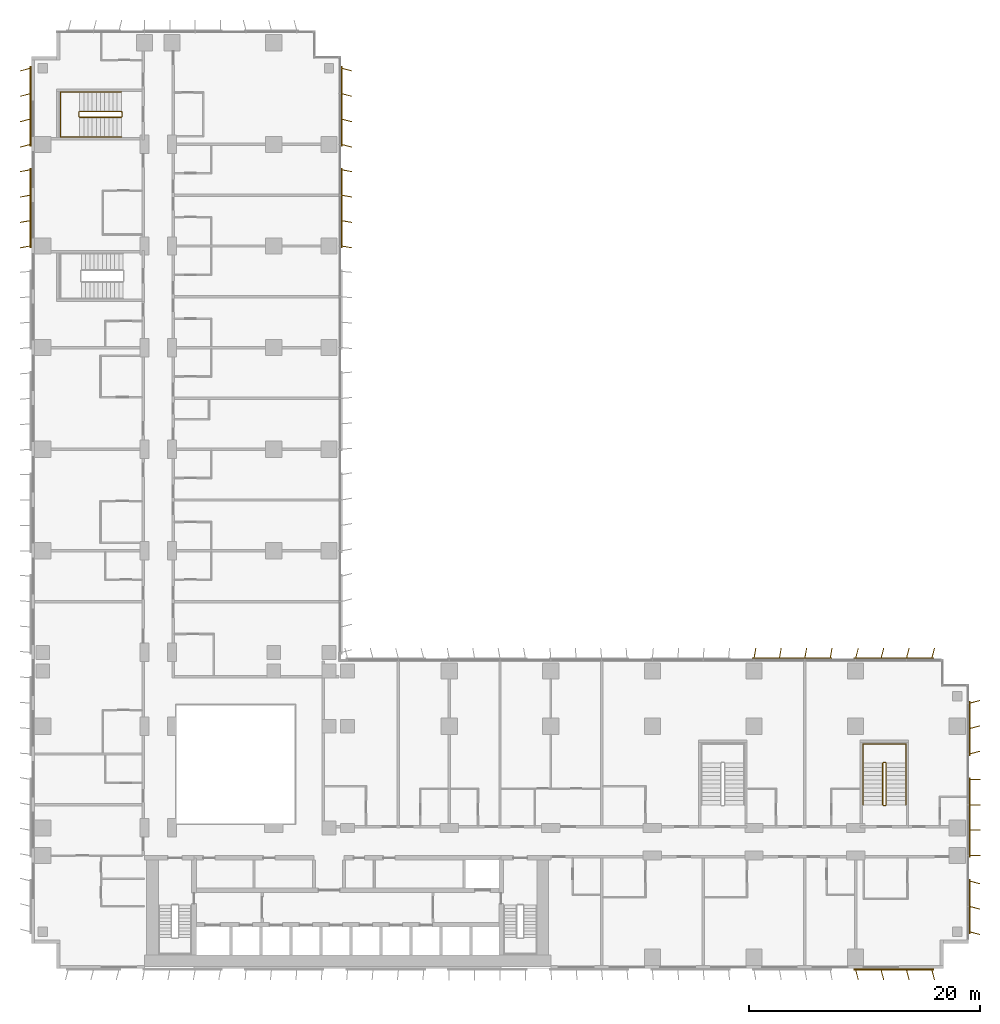
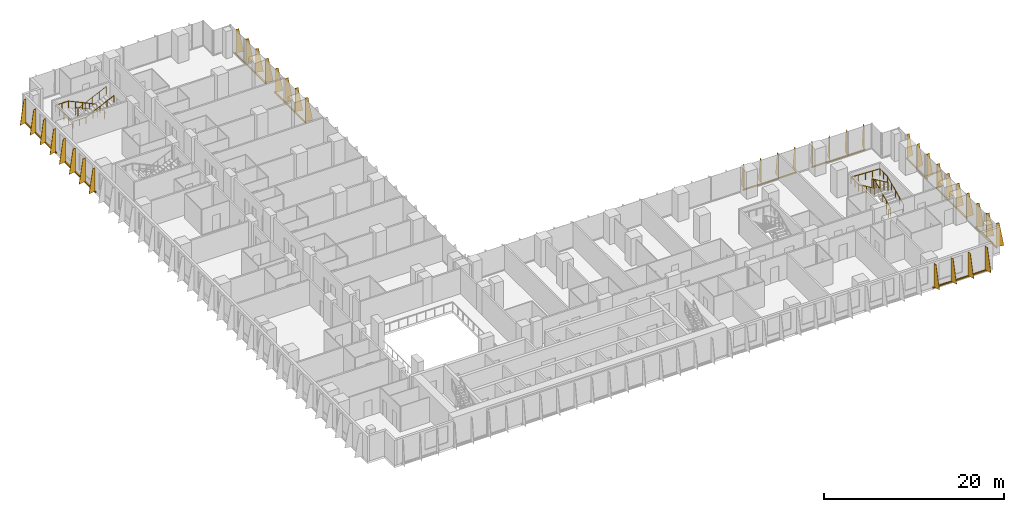
# One storey, part 23 of 24: 10 shading devices, 4 railings.
"""IFC4 building model written with IfcOpenShell, lengths in metres."""

from ifc_helpers import new_model, si_unit, direction, frame, origin, origin_2d, place, context, subcontext, project, spatial, polyline, rectangle, circle, outline, extrude, source, transform, mapped, material, layer, layer_set, type_object, element, save


model = new_model("IFC4")

# Units and contexts
model_context = context("Model", 3, precision=1e-05, world=origin(), true_north=direction((0.0, 1.0)))
body_context = subcontext(model_context, "Body", "Model", "MODEL_VIEW")
ifc_project = project(units=[si_unit("LENGTHUNIT", "METRE"), si_unit("AREAUNIT", "SQUARE_METRE"), si_unit("VOLUMEUNIT", "CUBIC_METRE"), si_unit("PLANEANGLEUNIT", "RADIAN"), si_unit("MASSUNIT", "GRAM", prefix="KILO")], contexts=[model_context])

# Site, building, storey
site_placement = place(None, origin())
site = spatial("IfcSite", under=ifc_project, at=site_placement, CompositionType="ELEMENT")
building_placement = place(site_placement, origin())
building = spatial("IfcBuilding", under=site, at=building_placement, Name="Kemantara Hotel Tower", CompositionType="ELEMENT")
storey_placement = place(building_placement, frame((0.0, 0.0, 59.89990234375)))
storey = spatial("IfcBuildingStorey", under=building, at=storey_placement, Name="L13", CompositionType="ELEMENT", Elevation=59.89990234375)

# Railings
ifc_material_1 = material(Name="Stainless steel balustrade", Category="steel")
railing_type_1 = type_object("IfcRailingType", Name="Stair guard 1100 mm", PredefinedType="GUARDRAIL", material=ifc_material_1)
railing_1_placement = place(storey_placement, frame((73.75, 14.199951171875, 3.7001953125)))
element("IfcRailing", 1, at=railing_1_placement, inside=storey, type_object=railing_type_1, Name="L13 ST5 stair guard 1", PredefinedType="GUARDRAIL", context=body_context, shape_type="SweptSolid", body=[
    extrude(circle(Radius=0.02392578125, at=origin_2d()), frame((0.0, 0.0, 1.076171875), z_axis=(0.0, 0.906005689286, -0.423265508849), x_axis=(-1.0, 0.0, 0.0)), (0.0, 0.0, 1.0), 3.9736328125),
    extrude(circle(Radius=0.02392578125, at=origin_2d()), frame((0.0, 3.60009765625, -0.60595703125), z_axis=(0.274243871929, 0.274243871929, -0.92172696468), x_axis=(-0.707106781187, 0.707106781187, 0.0)), (0.0, 0.0, 1.0), 0.1826171875),
    extrude(circle(Radius=0.02392578125, at=origin_2d()), frame((0.050048828125, 3.650146484375, -0.77392578125), z_axis=(1.0, 0.0, 0.0), x_axis=(0.0, 1.0, 0.0)), (0.0, 0.0, 1.0), 0.199951171875),
    extrude(circle(Radius=0.02392578125, at=origin_2d()), frame((0.25, 3.650146484375, -0.77392578125), z_axis=(0.707106781187, -0.707106781187, 0.0), x_axis=(0.707106781187, 0.707106781187, 0.0)), (0.0, 0.0, 1.0), 0.07080078125),
    extrude(circle(Radius=0.02392578125, at=origin_2d()), frame((0.300048828125, 3.60009765625, -0.77392578125), z_axis=(0.0, -0.906005689286, -0.423265508849), x_axis=(1.0, 0.0, 0.0)), (0.0, 0.0, 1.0), 3.9736328125),
    extrude(circle(Radius=0.02392578125, at=origin_2d()), frame((0.300048828125, 0.0, -2.4560546875), z_axis=(-0.274243871929, -0.274243871929, -0.92172696468), x_axis=(0.707106781187, -0.707106781187, 0.0)), (0.0, 0.0, 1.0), 0.1826171875),
    extrude(circle(Radius=0.02392578125, at=origin_2d()), frame((0.25, -0.050048828125, -2.6240234375), z_axis=(-1.0, 0.0, 0.0), x_axis=(0.0, -1.0, 0.0)), (0.0, 0.0, 1.0), 0.199951171875),
    extrude(circle(Radius=0.02099609375, at=origin_2d()), origin(), (0.0, 0.0, 1.0), 1.052001953125),
    extrude(circle(Radius=0.02099609375, at=origin_2d()), frame((0.0, 0.89990234375, -0.42041015625)), (0.0, 0.0, 1.0), 1.052001953125),
    extrude(circle(Radius=0.02099609375, at=origin_2d()), frame((0.0, 1.800048828125, -0.8408203125)), (0.0, 0.0, 1.0), 1.052001953125),
    extrude(circle(Radius=0.02099609375, at=origin_2d()), frame((0.0, 2.7001953125, -1.261474609375)), (0.0, 0.0, 1.0), 1.052001953125),
    extrude(circle(Radius=0.02099609375, at=origin_2d()), frame((0.0, 3.60009765625, -1.681884765625)), (0.0, 0.0, 1.0), 1.052001953125),
    extrude(circle(Radius=0.02099609375, at=origin_2d()), frame((0.050048828125, 3.650146484375, -1.85009765625)), (0.0, 0.0, 1.0), 1.052001953125),
    extrude(circle(Radius=0.02099609375, at=origin_2d()), frame((0.25, 3.650146484375, -1.85009765625)), (0.0, 0.0, 1.0), 1.052001953125),
    extrude(circle(Radius=0.02099609375, at=origin_2d()), frame((0.300048828125, 3.60009765625, -1.85009765625)), (0.0, 0.0, 1.0), 1.052001953125),
    extrude(circle(Radius=0.02099609375, at=origin_2d()), frame((0.300048828125, 2.7001953125, -2.2705078125)), (0.0, 0.0, 1.0), 1.052001953125),
    extrude(circle(Radius=0.02099609375, at=origin_2d()), frame((0.300048828125, 1.800048828125, -2.69091796875)), (0.0, 0.0, 1.0), 1.052001953125),
    extrude(circle(Radius=0.02099609375, at=origin_2d()), frame((0.300048828125, 0.89990234375, -3.111572265625)), (0.0, 0.0, 1.0), 1.052001953125),
    extrude(circle(Radius=0.02099609375, at=origin_2d()), frame((0.300048828125, 0.0, -3.531982421875)), (0.0, 0.0, 1.0), 1.052001953125),
    extrude(circle(Radius=0.02099609375, at=origin_2d()), frame((0.25, -0.050048828125, -3.7001953125)), (0.0, 0.0, 1.0), 1.052001953125),
    extrude(circle(Radius=0.02099609375, at=origin_2d()), frame((0.050048828125, -0.050048828125, -3.7001953125)), (0.0, 0.0, 1.0), 1.052001953125),
])
railing_2_placement = place(storey_placement, frame((7.800048828125, 73.75, 3.7001953125)))
element("IfcRailing", 2, at=railing_2_placement, inside=storey, type_object=railing_type_1, Name="L13 ST6 stair guard 1", PredefinedType="GUARDRAIL", context=body_context, shape_type="SweptSolid", body=[
    extrude(circle(Radius=0.02392578125, at=origin_2d()), frame((0.0, 0.0, 1.076171875), z_axis=(-0.906005689286, 0.0, -0.423265508849), x_axis=(0.0, -1.0, 0.0)), (0.0, 0.0, 1.0), 3.9736328125),
    extrude(circle(Radius=0.02392578125, at=origin_2d()), frame((-3.60009765625, 0.0, -0.60595703125), z_axis=(-0.274243871929, 0.274243871929, -0.92172696468), x_axis=(-0.707106781187, -0.707106781187, 0.0)), (0.0, 0.0, 1.0), 0.1826171875),
    extrude(circle(Radius=0.02392578125, at=origin_2d()), frame((-3.650146484375, 0.050048828125, -0.77392578125), z_axis=(0.0, 1.0, 0.0), x_axis=(-1.0, 0.0, 0.0)), (0.0, 0.0, 1.0), 0.39990234375),
    extrude(circle(Radius=0.02392578125, at=origin_2d()), frame((-3.650146484375, 0.449951171875, -0.77392578125), z_axis=(0.707106781187, 0.707106781187, 0.0), x_axis=(-0.707106781187, 0.707106781187, 0.0)), (0.0, 0.0, 1.0), 0.07080078125),
    extrude(circle(Radius=0.02392578125, at=origin_2d()), frame((-3.60009765625, 0.5, -0.77392578125), z_axis=(0.906005689286, 0.0, -0.423265508849), x_axis=(0.0, 1.0, 0.0)), (0.0, 0.0, 1.0), 3.9736328125),
    extrude(circle(Radius=0.02392578125, at=origin_2d()), frame((0.0, 0.5, -2.4560546875), z_axis=(0.274243871929, -0.274243871929, -0.92172696468), x_axis=(0.707106781187, 0.707106781187, 0.0)), (0.0, 0.0, 1.0), 0.1826171875),
    extrude(circle(Radius=0.02392578125, at=origin_2d()), frame((0.050048828125, 0.449951171875, -2.6240234375), z_axis=(0.0, -1.0, 0.0), x_axis=(1.0, 0.0, 0.0)), (0.0, 0.0, 1.0), 0.39990234375),
    extrude(circle(Radius=0.02099609375, at=origin_2d()), origin(), (0.0, 0.0, 1.0), 1.052001953125),
    extrude(circle(Radius=0.02099609375, at=origin_2d()), frame((-0.89990234375, 0.0, -0.42041015625)), (0.0, 0.0, 1.0), 1.052001953125),
    extrude(circle(Radius=0.02099609375, at=origin_2d()), frame((-1.800048828125, 0.0, -0.8408203125)), (0.0, 0.0, 1.0), 1.052001953125),
    extrude(circle(Radius=0.02099609375, at=origin_2d()), frame((-2.7001953125, 0.0, -1.261474609375)), (0.0, 0.0, 1.0), 1.052001953125),
    extrude(circle(Radius=0.02099609375, at=origin_2d()), frame((-3.60009765625, 0.0, -1.681884765625)), (0.0, 0.0, 1.0), 1.052001953125),
    extrude(circle(Radius=0.02099609375, at=origin_2d()), frame((-3.650146484375, 0.050048828125, -1.85009765625)), (0.0, 0.0, 1.0), 1.052001953125),
    extrude(circle(Radius=0.02099609375, at=origin_2d()), frame((-3.650146484375, 0.449951171875, -1.85009765625)), (0.0, 0.0, 1.0), 1.052001953125),
    extrude(circle(Radius=0.02099609375, at=origin_2d()), frame((-3.60009765625, 0.5, -1.85009765625)), (0.0, 0.0, 1.0), 1.052001953125),
    extrude(circle(Radius=0.02099609375, at=origin_2d()), frame((-2.7001953125, 0.5, -2.2705078125)), (0.0, 0.0, 1.0), 1.052001953125),
    extrude(circle(Radius=0.02099609375, at=origin_2d()), frame((-1.800048828125, 0.5, -2.69091796875)), (0.0, 0.0, 1.0), 1.052001953125),
    extrude(circle(Radius=0.02099609375, at=origin_2d()), frame((-0.89990234375, 0.5, -3.111572265625)), (0.0, 0.0, 1.0), 1.052001953125),
    extrude(circle(Radius=0.02099609375, at=origin_2d()), frame((0.0, 0.5, -3.531982421875)), (0.0, 0.0, 1.0), 1.052001953125),
    extrude(circle(Radius=0.02099609375, at=origin_2d()), frame((0.050048828125, 0.449951171875, -3.7001953125)), (0.0, 0.0, 1.0), 1.052001953125),
    extrude(circle(Radius=0.02099609375, at=origin_2d()), frame((0.050048828125, 0.050048828125, -3.7001953125)), (0.0, 0.0, 1.0), 1.052001953125),
])
railing_type_2 = type_object("IfcRailingType", Name="Stair handrail 900 mm", PredefinedType="HANDRAIL", material=ifc_material_1)
railing_3_placement = place(storey_placement, frame((75.75, 14.199951171875, 0.168212890625)))
element("IfcRailing", 3, at=railing_3_placement, inside=storey, type_object=railing_type_2, Name="L13 ST5 stair handrail 1", PredefinedType="HANDRAIL", context=body_context, shape_type="SweptSolid", body=[
    extrude(circle(Radius=0.02392578125, at=origin_2d()), frame((0.0, 0.0, 0.8759765625), z_axis=(0.0, 0.906005689286, 0.423265508849), x_axis=(-1.0, 0.0, 0.0)), (0.0, 0.0, 1.0), 3.9736328125),
    extrude(circle(Radius=0.02392578125, at=origin_2d()), frame((0.0, 3.60009765625, 2.5576171875), z_axis=(0.0, 1.0, 0.0), x_axis=(-1.0, 0.0, 0.0)), (0.0, 0.0, 1.0), 1.679931640625),
    extrude(circle(Radius=0.02392578125, at=origin_2d()), frame((0.0, 5.280029296875, 2.5576171875), z_axis=(-0.998968132438, 0.0, 0.045416631029), x_axis=(0.0, -1.0, 0.0)), (0.0, 0.0, 1.0), 3.703857421875),
    extrude(circle(Radius=0.02392578125, at=origin_2d()), frame((-3.699951171875, 5.280029296875, 2.72607421875), z_axis=(0.0, -1.0, 0.0), x_axis=(1.0, 0.0, 0.0)), (0.0, 0.0, 1.0), 1.679931640625),
    extrude(circle(Radius=0.02392578125, at=origin_2d()), frame((-3.699951171875, 3.60009765625, 2.72607421875), z_axis=(0.0, -0.906005689286, 0.423265508849), x_axis=(1.0, 0.0, 0.0)), (0.0, 0.0, 1.0), 3.9736328125),
    extrude(circle(Radius=0.02099609375, at=origin_2d()), origin(), (0.0, 0.0, 1.0), 0.851806640625),
    extrude(circle(Radius=0.02099609375, at=origin_2d()), frame((0.0, 0.89990234375, 0.42041015625)), (0.0, 0.0, 1.0), 0.851806640625),
    extrude(circle(Radius=0.02099609375, at=origin_2d()), frame((0.0, 1.800048828125, 0.8408203125)), (0.0, 0.0, 1.0), 0.851806640625),
    extrude(circle(Radius=0.02099609375, at=origin_2d()), frame((0.0, 2.7001953125, 1.261474609375)), (0.0, 0.0, 1.0), 0.851806640625),
    extrude(circle(Radius=0.02099609375, at=origin_2d()), frame((0.0, 3.60009765625, 1.681884765625)), (0.0, 0.0, 1.0), 0.851806640625),
    extrude(circle(Radius=0.02099609375, at=origin_2d()), frame((0.0, 4.43994140625, 1.681884765625)), (0.0, 0.0, 1.0), 0.851806640625),
    extrude(circle(Radius=0.02099609375, at=origin_2d()), frame((0.0, 5.280029296875, 1.681884765625)), (0.0, 0.0, 1.0), 0.851806640625),
    extrude(circle(Radius=0.02099609375, at=origin_2d()), frame((-0.925048828125, 5.280029296875, 1.723876953125)), (0.0, 0.0, 1.0), 0.851806640625),
    extrude(circle(Radius=0.02099609375, at=origin_2d()), frame((-1.85009765625, 5.280029296875, 1.76611328125)), (0.0, 0.0, 1.0), 0.851806640625),
    extrude(circle(Radius=0.02099609375, at=origin_2d()), frame((-2.77490234375, 5.280029296875, 1.80810546875)), (0.0, 0.0, 1.0), 0.851806640625),
    extrude(circle(Radius=0.02099609375, at=origin_2d()), frame((-3.699951171875, 5.280029296875, 1.85009765625)), (0.0, 0.0, 1.0), 0.851806640625),
    extrude(circle(Radius=0.02099609375, at=origin_2d()), frame((-3.699951171875, 4.43994140625, 1.85009765625)), (0.0, 0.0, 1.0), 0.851806640625),
    extrude(circle(Radius=0.02099609375, at=origin_2d()), frame((-3.699951171875, 3.60009765625, 1.85009765625)), (0.0, 0.0, 1.0), 0.851806640625),
    extrude(circle(Radius=0.02099609375, at=origin_2d()), frame((-3.699951171875, 2.7001953125, 2.2705078125)), (0.0, 0.0, 1.0), 0.851806640625),
    extrude(circle(Radius=0.02099609375, at=origin_2d()), frame((-3.699951171875, 1.800048828125, 2.69091796875)), (0.0, 0.0, 1.0), 0.851806640625),
    extrude(circle(Radius=0.02099609375, at=origin_2d()), frame((-3.699951171875, 0.89990234375, 3.111572265625)), (0.0, 0.0, 1.0), 0.851806640625),
    extrude(circle(Radius=0.02099609375, at=origin_2d()), frame((-3.699951171875, 0.0, 3.531982421875)), (0.0, 0.0, 1.0), 0.851806640625),
])
railing_4_placement = place(storey_placement, frame((7.800048828125, 75.949951171875, 0.168212890625)))
element("IfcRailing", 4, at=railing_4_placement, inside=storey, type_object=railing_type_2, Name="L13 ST6 stair handrail 1", PredefinedType="HANDRAIL", context=body_context, shape_type="SweptSolid", body=[
    extrude(circle(Radius=0.02392578125, at=origin_2d()), frame((0.0, 0.0, 0.8759765625), z_axis=(-0.906005689286, 0.0, 0.423265508849), x_axis=(0.0, -1.0, 0.0)), (0.0, 0.0, 1.0), 3.9736328125),
    extrude(circle(Radius=0.02392578125, at=origin_2d()), frame((-3.60009765625, 0.0, 2.5576171875), z_axis=(-1.0, 0.0, 0.0), x_axis=(0.0, -1.0, 0.0)), (0.0, 0.0, 1.0), 1.679931640625),
    extrude(circle(Radius=0.02392578125, at=origin_2d()), frame((-5.280029296875, 0.0, 2.5576171875), z_axis=(0.0, -0.999071085748, 0.043092523981), x_axis=(1.0, 0.0, 0.0)), (0.0, 0.0, 1.0), 3.903564453125),
    extrude(circle(Radius=0.02392578125, at=origin_2d()), frame((-5.280029296875, -3.89990234375, 2.72607421875), z_axis=(1.0, 0.0, 0.0), x_axis=(0.0, 1.0, 0.0)), (0.0, 0.0, 1.0), 1.679931640625),
    extrude(circle(Radius=0.02392578125, at=origin_2d()), frame((-3.60009765625, -3.89990234375, 2.72607421875), z_axis=(0.906005689286, 0.0, 0.423265508849), x_axis=(0.0, 1.0, 0.0)), (0.0, 0.0, 1.0), 3.9736328125),
    extrude(circle(Radius=0.02099609375, at=origin_2d()), origin(), (0.0, 0.0, 1.0), 0.851806640625),
    extrude(circle(Radius=0.02099609375, at=origin_2d()), frame((-0.89990234375, 0.0, 0.42041015625)), (0.0, 0.0, 1.0), 0.851806640625),
    extrude(circle(Radius=0.02099609375, at=origin_2d()), frame((-1.800048828125, 0.0, 0.8408203125)), (0.0, 0.0, 1.0), 0.851806640625),
    extrude(circle(Radius=0.02099609375, at=origin_2d()), frame((-2.7001953125, 0.0, 1.261474609375)), (0.0, 0.0, 1.0), 0.851806640625),
    extrude(circle(Radius=0.02099609375, at=origin_2d()), frame((-3.60009765625, 0.0, 1.681884765625)), (0.0, 0.0, 1.0), 0.851806640625),
    extrude(circle(Radius=0.02099609375, at=origin_2d()), frame((-4.43994140625, 0.0, 1.681884765625)), (0.0, 0.0, 1.0), 0.851806640625),
    extrude(circle(Radius=0.02099609375, at=origin_2d()), frame((-5.280029296875, 0.0, 1.681884765625)), (0.0, 0.0, 1.0), 0.851806640625),
    extrude(circle(Radius=0.02099609375, at=origin_2d()), frame((-5.280029296875, -0.97509765625, 1.723876953125)), (0.0, 0.0, 1.0), 0.851806640625),
    extrude(circle(Radius=0.02099609375, at=origin_2d()), frame((-5.280029296875, -1.949951171875, 1.76611328125)), (0.0, 0.0, 1.0), 0.851806640625),
    extrude(circle(Radius=0.02099609375, at=origin_2d()), frame((-5.280029296875, -2.9248046875, 1.80810546875)), (0.0, 0.0, 1.0), 0.851806640625),
    extrude(circle(Radius=0.02099609375, at=origin_2d()), frame((-5.280029296875, -3.89990234375, 1.85009765625)), (0.0, 0.0, 1.0), 0.851806640625),
    extrude(circle(Radius=0.02099609375, at=origin_2d()), frame((-4.43994140625, -3.89990234375, 1.85009765625)), (0.0, 0.0, 1.0), 0.851806640625),
    extrude(circle(Radius=0.02099609375, at=origin_2d()), frame((-3.60009765625, -3.89990234375, 1.85009765625)), (0.0, 0.0, 1.0), 0.851806640625),
    extrude(circle(Radius=0.02099609375, at=origin_2d()), frame((-2.7001953125, -3.89990234375, 2.2705078125)), (0.0, 0.0, 1.0), 0.851806640625),
    extrude(circle(Radius=0.02099609375, at=origin_2d()), frame((-1.800048828125, -3.89990234375, 2.69091796875)), (0.0, 0.0, 1.0), 0.851806640625),
    extrude(circle(Radius=0.02099609375, at=origin_2d()), frame((-0.89990234375, -3.89990234375, 3.111572265625)), (0.0, 0.0, 1.0), 0.851806640625),
    extrude(circle(Radius=0.02099609375, at=origin_2d()), frame((0.0, -3.89990234375, 3.531982421875)), (0.0, 0.0, 1.0), 0.851806640625),
])

# Shading devices
ifc_material_2 = material(Name="Perforated aluminium plate 4 mm bronze anodised", Category="aluminium")
ifc_layer_1 = layer(ifc_material_2, 0.0400390625)
ifc_layer_set_1 = layer_set([ifc_layer_1], Name="Perforated aluminium plate 4 mm bronze anodised")
shading_device_type_1 = type_object("IfcShadingDeviceType", Name="SCREEN FIN CASSETTE, 3 BLADES AT -15.0 DEG, 3200 HIGH", PredefinedType="USERDEFINED", material=ifc_layer_set_1)
shared_shape_1 = source(origin(), body_context, "Body", "SweptSolid", [
    extrude(rectangle(XDim=4.699951171875, YDim=0.14990234375, at=origin_2d()), frame((2.199951171875, -0.074951171875, -0.14990234375), z_axis=(0.0, 0.0, 1.0), x_axis=(1.0, 0.0, 0.0)), (0.0, 0.0, 1.0), 0.14990234375),
    extrude(outline(polyline([(0.0, 0.0), (0.89990234375, 0.0), (0.35009765625, 3.199951171875), (0.0, 3.199951171875), (0.0, 0.0)])), frame((0.019287109375, -0.080078125, 0.0), z_axis=(-0.966437683387, 0.256901156343, 0.0), x_axis=(-0.256901156343, -0.966437683387, 0.0)), (0.0, 0.0, 1.0), 0.039794921875),
    extrude(outline(polyline([(0.0, 0.0), (0.89990234375, 0.0), (0.35009765625, 3.199951171875), (0.0, 3.199951171875), (0.0, 0.0)])), frame((2.21923828125, -0.080078125, 0.0), z_axis=(-0.966437683387, 0.256901156343, 0.0), x_axis=(-0.256901156343, -0.966437683387, 0.0)), (0.0, 0.0, 1.0), 0.039794921875),
    extrude(outline(polyline([(0.0, 0.0), (0.89990234375, 0.0), (0.35009765625, 3.199951171875), (0.0, 3.199951171875), (0.0, 0.0)])), frame((4.41943359375, -0.080078125, 0.0), z_axis=(-0.966837822169, 0.255391122837, 0.0), x_axis=(-0.255391122837, -0.966837822169, 0.0)), (0.0, 0.0, 1.0), 0.0400390625),
])
shading_device_1_placement = place(storey_placement, frame((81.199951171875, 3.199951171875, 0.10009765625), z_axis=(0.0, 0.0, 1.0), x_axis=(0.0, 1.0, 0.0)))
element("IfcShadingDevice", 5, at=shading_device_1_placement, inside=storey, type_object=shading_device_type_1, Name="SCREEN FIN CASSETTE L13 T1-R04-1", ObjectType="SCREEN FIN", PredefinedType="USERDEFINED", context=body_context, shape_type="MappedRepresentation", body=[
    mapped(shared_shape_1, transform((0.0, 0.0, 0.0))),
])
ifc_layer_2 = layer(ifc_material_2, 0.0400390625)
ifc_layer_set_2 = layer_set([ifc_layer_2], Name="Perforated aluminium plate 4 mm bronze anodised")
shading_device_type_2 = type_object("IfcShadingDeviceType", Name="SCREEN FIN CASSETTE, 4 BLADES AT -10.0 DEG, 3200 HIGH", PredefinedType="USERDEFINED", material=ifc_layer_set_2)
shared_shape_2 = source(origin(), body_context, "Body", "SweptSolid", [
    extrude(rectangle(XDim=6.89990234375, YDim=0.14990234375, at=origin_2d()), frame((3.300048828125, -0.074951171875, -0.14990234375), z_axis=(0.0, 0.0, 1.0), x_axis=(1.0, 0.0, 0.0)), (0.0, 0.0, 1.0), 0.14990234375),
    extrude(outline(polyline([(0.0, 0.0), (0.89990234375, 0.0), (0.35009765625, 3.199951171875), (0.0, 3.199951171875), (0.0, 0.0)])), frame((0.019775390625, -0.078369140625, 0.0), z_axis=(-0.985389793052, 0.170314285219, 0.0), x_axis=(-0.170314285219, -0.985389793052, 0.0)), (0.0, 0.0, 1.0), 0.0400390625),
    extrude(outline(polyline([(0.0, 0.0), (0.89990234375, 0.0), (0.35009765625, 3.199951171875), (0.0, 3.199951171875), (0.0, 0.0)])), frame((2.2197265625, -0.078369140625, 0.0), z_axis=(-0.98521175482, 0.171341174751, 0.0), x_axis=(-0.171341174751, -0.98521175482, 0.0)), (0.0, 0.0, 1.0), 0.039794921875),
    extrude(outline(polyline([(0.0, 0.0), (0.89990234375, 0.0), (0.35009765625, 3.199951171875), (0.0, 3.199951171875), (0.0, 0.0)])), frame((4.419677734375, -0.078369140625, 0.0), z_axis=(-0.98521175482, 0.171341174751, 0.0), x_axis=(-0.171341174751, -0.98521175482, 0.0)), (0.0, 0.0, 1.0), 0.039794921875),
    extrude(outline(polyline([(0.0, 0.0), (0.89990234375, 0.0), (0.35009765625, 3.199951171875), (0.0, 3.199951171875), (0.0, 0.0)])), frame((6.61962890625, -0.078369140625, 0.0), z_axis=(-0.98521175482, 0.171341174751, 0.0), x_axis=(-0.171341174751, -0.98521175482, 0.0)), (0.0, 0.0, 1.0), 0.039794921875),
])
for number, where, z_axis, x_axis, name in (
    (6, (69.199951171875, 26.800048828125, 0.10009765625), (0.0, 0.0, 1.0), (-1.0, 0.0, 0.0), "SCREEN FIN CASSETTE L13 T1-R07-2"),
    (7, (26.800048828125, 62.60009765625, 0.10009765625), (0.0, 0.0, 1.0), (0.0, 1.0, 0.0), "SCREEN FIN CASSETTE L13 T1-R08-5"),
):
    element("IfcShadingDevice", number, at=place(storey_placement, frame(where, z_axis=z_axis, x_axis=x_axis)), inside=storey, type_object=shading_device_type_2, Name=name, ObjectType="SCREEN FIN", PredefinedType="USERDEFINED", context=body_context, shape_type="MappedRepresentation", body=[
        mapped(shared_shape_2, transform((0.0, 0.0, 0.0))),
    ])
ifc_layer_3 = layer(ifc_material_2, 0.0400390625)
ifc_layer_set_3 = layer_set([ifc_layer_3], Name="Perforated aluminium plate 4 mm bronze anodised")
shading_device_type_3 = type_object("IfcShadingDeviceType", Name="SCREEN FIN CASSETTE, 4 BLADES AT +0.0 DEG, 3200 HIGH", PredefinedType="USERDEFINED", material=ifc_layer_set_3)
shared_shape_3 = source(origin(), body_context, "Body", "SweptSolid", [
    extrude(rectangle(XDim=6.89990234375, YDim=0.14990234375, at=origin_2d()), frame((3.300048828125, -0.074951171875, -0.14990234375), z_axis=(0.0, 0.0, 1.0), x_axis=(1.0, 0.0, 0.0)), (0.0, 0.0, 1.0), 0.14990234375),
    extrude(outline(polyline([(0.0, 0.0), (0.89990234375, 0.0), (0.35009765625, 3.199951171875), (0.0, 3.199951171875), (0.0, 0.0)])), frame((0.02001953125, -0.074951171875, 0.0), z_axis=(-1.0, 0.0, 0.0), x_axis=(0.0, -1.0, 0.0)), (0.0, 0.0, 1.0), 0.0400390625),
    extrude(outline(polyline([(0.0, 0.0), (0.89990234375, 0.0), (0.35009765625, 3.199951171875), (0.0, 3.199951171875), (0.0, 0.0)])), frame((2.219970703125, -0.074951171875, 0.0), z_axis=(-1.0, 0.0, 0.0), x_axis=(0.0, -1.0, 0.0)), (0.0, 0.0, 1.0), 0.0400390625),
    extrude(outline(polyline([(0.0, 0.0), (0.89990234375, 0.0), (0.35009765625, 3.199951171875), (0.0, 3.199951171875), (0.0, 0.0)])), frame((4.419921875, -0.074951171875, 0.0), z_axis=(-1.0, 0.0, 0.0), x_axis=(0.0, -1.0, 0.0)), (0.0, 0.0, 1.0), 0.0400390625),
    extrude(outline(polyline([(0.0, 0.0), (0.89990234375, 0.0), (0.35009765625, 3.199951171875), (0.0, 3.199951171875), (0.0, 0.0)])), frame((6.6201171875, -0.074951171875, 0.0), z_axis=(-1.0, 0.0, 0.0), x_axis=(0.0, -1.0, 0.0)), (0.0, 0.0, 1.0), 0.0400390625),
])
shading_device_2_placement = place(storey_placement, frame((81.199951171875, 9.800048828125, 0.10009765625), z_axis=(0.0, 0.0, 1.0), x_axis=(0.0, 1.0, 0.0)))
element("IfcShadingDevice", 8, at=shading_device_2_placement, inside=storey, type_object=shading_device_type_3, Name="SCREEN FIN CASSETTE L13 T1-R04-2", ObjectType="SCREEN FIN", PredefinedType="USERDEFINED", context=body_context, shape_type="MappedRepresentation", body=[
    mapped(shared_shape_3, transform((0.0, 0.0, 0.0))),
])
ifc_layer_4 = layer(ifc_material_2, 0.0400390625)
ifc_layer_set_4 = layer_set([ifc_layer_4], Name="Perforated aluminium plate 4 mm bronze anodised")
shading_device_type_4 = type_object("IfcShadingDeviceType", Name="SCREEN FIN CASSETTE, 4 BLADES AT +10.0 DEG, 3200 HIGH", PredefinedType="USERDEFINED", material=ifc_layer_set_4)
shared_shape_4 = source(origin(), body_context, "Body", "SweptSolid", [
    extrude(rectangle(XDim=6.89990234375, YDim=0.14990234375, at=origin_2d()), frame((3.300048828125, -0.074951171875, -0.14990234375), z_axis=(0.0, 0.0, 1.0), x_axis=(1.0, 0.0, 0.0)), (0.0, 0.0, 1.0), 0.14990234375),
    extrude(outline(polyline([(0.0, 0.0), (0.89990234375, 0.0), (0.35009765625, 3.199951171875), (0.0, 3.199951171875), (0.0, 0.0)])), frame((0.019775390625, -0.071533203125, 0.0), z_axis=(-0.985389793052, -0.170314285219, 0.0), x_axis=(0.170314285219, -0.985389793052, 0.0)), (0.0, 0.0, 1.0), 0.0400390625),
    extrude(outline(polyline([(0.0, 0.0), (0.89990234375, 0.0), (0.35009765625, 3.199951171875), (0.0, 3.199951171875), (0.0, 0.0)])), frame((2.2197265625, -0.071533203125, 0.0), z_axis=(-0.98521175482, -0.171341174751, 0.0), x_axis=(0.171341174751, -0.98521175482, 0.0)), (0.0, 0.0, 1.0), 0.039794921875),
    extrude(outline(polyline([(0.0, 0.0), (0.89990234375, 0.0), (0.35009765625, 3.199951171875), (0.0, 3.199951171875), (0.0, 0.0)])), frame((4.419677734375, -0.071533203125, 0.0), z_axis=(-0.98521175482, -0.171341174751, 0.0), x_axis=(0.171341174751, -0.98521175482, 0.0)), (0.0, 0.0, 1.0), 0.039794921875),
    extrude(outline(polyline([(0.0, 0.0), (0.89990234375, 0.0), (0.35009765625, 3.199951171875), (0.0, 3.199951171875), (0.0, 0.0)])), frame((6.61962890625, -0.071533203125, 0.0), z_axis=(-0.98521175482, -0.171341174751, 0.0), x_axis=(0.171341174751, -0.98521175482, 0.0)), (0.0, 0.0, 1.0), 0.039794921875),
])
shading_device_3_placement = place(storey_placement, frame((0.0, 69.199951171875, 0.10009765625), z_axis=(0.0, 0.0, 1.0), x_axis=(0.0, -1.0, 0.0)))
element("IfcShadingDevice", 9, at=shading_device_3_placement, inside=storey, type_object=shading_device_type_4, Name="SCREEN FIN CASSETTE L13 T1-R14-2", ObjectType="SCREEN FIN", PredefinedType="USERDEFINED", context=body_context, shape_type="MappedRepresentation", body=[
    mapped(shared_shape_4, transform((0.0, 0.0, 0.0))),
])
ifc_layer_5 = layer(ifc_material_2, 0.0400390625)
ifc_layer_set_5 = layer_set([ifc_layer_5], Name="Perforated aluminium plate 4 mm bronze anodised")
shading_device_type_5 = type_object("IfcShadingDeviceType", Name="SCREEN FIN CASSETTE, 4 BLADES AT +15.0 DEG, 3200 HIGH", PredefinedType="USERDEFINED", material=ifc_layer_set_5)
shared_shape_5 = source(origin(), body_context, "Body", "SweptSolid", [
    extrude(rectangle(XDim=6.89990234375, YDim=0.14990234375, at=origin_2d()), frame((3.300048828125, -0.074951171875, -0.14990234375), z_axis=(0.0, 0.0, 1.0), x_axis=(1.0, 0.0, 0.0)), (0.0, 0.0, 1.0), 0.14990234375),
    extrude(outline(polyline([(0.0, 0.0), (0.89990234375, 0.0), (0.35009765625, 3.199951171875), (0.0, 3.199951171875), (0.0, 0.0)])), frame((0.019287109375, -0.06982421875, 0.0), z_axis=(-0.966437683387, -0.256901156343, 0.0), x_axis=(0.256901156343, -0.966437683387, 0.0)), (0.0, 0.0, 1.0), 0.039794921875),
    extrude(outline(polyline([(0.0, 0.0), (0.89990234375, 0.0), (0.35009765625, 3.199951171875), (0.0, 3.199951171875), (0.0, 0.0)])), frame((2.21923828125, -0.06982421875, 0.0), z_axis=(-0.966437683387, -0.256901156343, 0.0), x_axis=(0.256901156343, -0.966437683387, 0.0)), (0.0, 0.0, 1.0), 0.039794921875),
    extrude(outline(polyline([(0.0, 0.0), (0.89990234375, 0.0), (0.35009765625, 3.199951171875), (0.0, 3.199951171875), (0.0, 0.0)])), frame((4.41943359375, -0.06982421875, 0.0), z_axis=(-0.966837822169, -0.255391122837, 0.0), x_axis=(0.255391122837, -0.966837822169, 0.0)), (0.0, 0.0, 1.0), 0.0400390625),
    extrude(outline(polyline([(0.0, 0.0), (0.89990234375, 0.0), (0.35009765625, 3.199951171875), (0.0, 3.199951171875), (0.0, 0.0)])), frame((6.619384765625, -0.06982421875, 0.0), z_axis=(-0.966837822169, -0.255391122837, 0.0), x_axis=(0.255391122837, -0.966837822169, 0.0)), (0.0, 0.0, 1.0), 0.0400390625),
])
for number, where, z_axis, x_axis, name in (
    (10, (71.39990234375, 0.0, 0.10009765625), (0.0, 0.0, 1.0), (1.0, 0.0, 0.0), "SCREEN FIN CASSETTE L13 T1-R01-9"),
    (11, (0.0, 78.0, 0.10009765625), (0.0, 0.0, 1.0), (0.0, -1.0, 0.0), "SCREEN FIN CASSETTE L13 T1-R14-1"),
):
    element("IfcShadingDevice", number, at=place(storey_placement, frame(where, z_axis=z_axis, x_axis=x_axis)), inside=storey, type_object=shading_device_type_5, Name=name, ObjectType="SCREEN FIN", PredefinedType="USERDEFINED", context=body_context, shape_type="MappedRepresentation", body=[
        mapped(shared_shape_5, transform((0.0, 0.0, 0.0))),
    ])
ifc_layer_6 = layer(ifc_material_2, 0.0400390625)
ifc_layer_set_6 = layer_set([ifc_layer_6], Name="Perforated aluminium plate 4 mm bronze anodised")
shading_device_type_6 = type_object("IfcShadingDeviceType", Name="SCREEN FIN CASSETTE, 3 BLADES AT +15.0 DEG, 3200 HIGH", PredefinedType="USERDEFINED", material=ifc_layer_set_6)
shared_shape_6 = source(origin(), body_context, "Body", "SweptSolid", [
    extrude(rectangle(XDim=4.699951171875, YDim=0.14990234375, at=origin_2d()), frame((2.199951171875, -0.074951171875, -0.14990234375), z_axis=(0.0, 0.0, 1.0), x_axis=(1.0, 0.0, 0.0)), (0.0, 0.0, 1.0), 0.14990234375),
    extrude(outline(polyline([(0.0, 0.0), (0.89990234375, 0.0), (0.35009765625, 3.199951171875), (0.0, 3.199951171875), (0.0, 0.0)])), frame((0.019287109375, -0.06982421875, 0.0), z_axis=(-0.966437683387, -0.256901156343, 0.0), x_axis=(0.256901156343, -0.966437683387, 0.0)), (0.0, 0.0, 1.0), 0.039794921875),
    extrude(outline(polyline([(0.0, 0.0), (0.89990234375, 0.0), (0.35009765625, 3.199951171875), (0.0, 3.199951171875), (0.0, 0.0)])), frame((2.21923828125, -0.06982421875, 0.0), z_axis=(-0.966437683387, -0.256901156343, 0.0), x_axis=(0.256901156343, -0.966437683387, 0.0)), (0.0, 0.0, 1.0), 0.039794921875),
    extrude(outline(polyline([(0.0, 0.0), (0.89990234375, 0.0), (0.35009765625, 3.199951171875), (0.0, 3.199951171875), (0.0, 0.0)])), frame((4.41943359375, -0.06982421875, 0.0), z_axis=(-0.966837822169, -0.255391122837, 0.0), x_axis=(0.255391122837, -0.966837822169, 0.0)), (0.0, 0.0, 1.0), 0.0400390625),
])
shading_device_4_placement = place(storey_placement, frame((81.199951171875, 18.60009765625, 0.10009765625), z_axis=(0.0, 0.0, 1.0), x_axis=(0.0, 1.0, 0.0)))
element("IfcShadingDevice", 12, at=shading_device_4_placement, inside=storey, type_object=shading_device_type_6, Name="SCREEN FIN CASSETTE L13 T1-R04-3", ObjectType="SCREEN FIN", PredefinedType="USERDEFINED", context=body_context, shape_type="MappedRepresentation", body=[
    mapped(shared_shape_6, transform((0.0, 0.0, 0.0))),
])
ifc_layer_7 = layer(ifc_material_2, 0.0400390625)
ifc_layer_set_7 = layer_set([ifc_layer_7], Name="Perforated aluminium plate 4 mm bronze anodised")
shading_device_type_7 = type_object("IfcShadingDeviceType", Name="SCREEN FIN CASSETTE, 4 BLADES AT -15.0 DEG, 3200 HIGH", PredefinedType="USERDEFINED", material=ifc_layer_set_7)
shared_shape_7 = source(origin(), body_context, "Body", "SweptSolid", [
    extrude(rectangle(XDim=6.89990234375, YDim=0.14990234375, at=origin_2d()), frame((3.300048828125, -0.074951171875, -0.14990234375), z_axis=(0.0, 0.0, 1.0), x_axis=(1.0, 0.0, 0.0)), (0.0, 0.0, 1.0), 0.14990234375),
    extrude(outline(polyline([(0.0, 0.0), (0.89990234375, 0.0), (0.35009765625, 3.199951171875), (0.0, 3.199951171875), (0.0, 0.0)])), frame((0.019287109375, -0.080078125, 0.0), z_axis=(-0.966437683387, 0.256901156343, 0.0), x_axis=(-0.256901156343, -0.966437683387, 0.0)), (0.0, 0.0, 1.0), 0.039794921875),
    extrude(outline(polyline([(0.0, 0.0), (0.89990234375, 0.0), (0.35009765625, 3.199951171875), (0.0, 3.199951171875), (0.0, 0.0)])), frame((2.21923828125, -0.080078125, 0.0), z_axis=(-0.966437683387, 0.256901156343, 0.0), x_axis=(-0.256901156343, -0.966437683387, 0.0)), (0.0, 0.0, 1.0), 0.039794921875),
    extrude(outline(polyline([(0.0, 0.0), (0.89990234375, 0.0), (0.35009765625, 3.199951171875), (0.0, 3.199951171875), (0.0, 0.0)])), frame((4.41943359375, -0.080078125, 0.0), z_axis=(-0.966837822169, 0.255391122837, 0.0), x_axis=(-0.255391122837, -0.966837822169, 0.0)), (0.0, 0.0, 1.0), 0.0400390625),
    extrude(outline(polyline([(0.0, 0.0), (0.89990234375, 0.0), (0.35009765625, 3.199951171875), (0.0, 3.199951171875), (0.0, 0.0)])), frame((6.619384765625, -0.080078125, 0.0), z_axis=(-0.966837822169, 0.255391122837, 0.0), x_axis=(-0.255391122837, -0.966837822169, 0.0)), (0.0, 0.0, 1.0), 0.0400390625),
])
for number, where, z_axis, x_axis, name in (
    (13, (78.0, 26.800048828125, 0.10009765625), (0.0, 0.0, 1.0), (-1.0, 0.0, 0.0), "SCREEN FIN CASSETTE L13 T1-R07-1"),
    (14, (26.800048828125, 71.39990234375, 0.10009765625), (0.0, 0.0, 1.0), (0.0, 1.0, 0.0), "SCREEN FIN CASSETTE L13 T1-R08-6"),
):
    element("IfcShadingDevice", number, at=place(storey_placement, frame(where, z_axis=z_axis, x_axis=x_axis)), inside=storey, type_object=shading_device_type_7, Name=name, ObjectType="SCREEN FIN", PredefinedType="USERDEFINED", context=body_context, shape_type="MappedRepresentation", body=[
        mapped(shared_shape_7, transform((0.0, 0.0, 0.0))),
    ])

save(model, "model.ifc")
